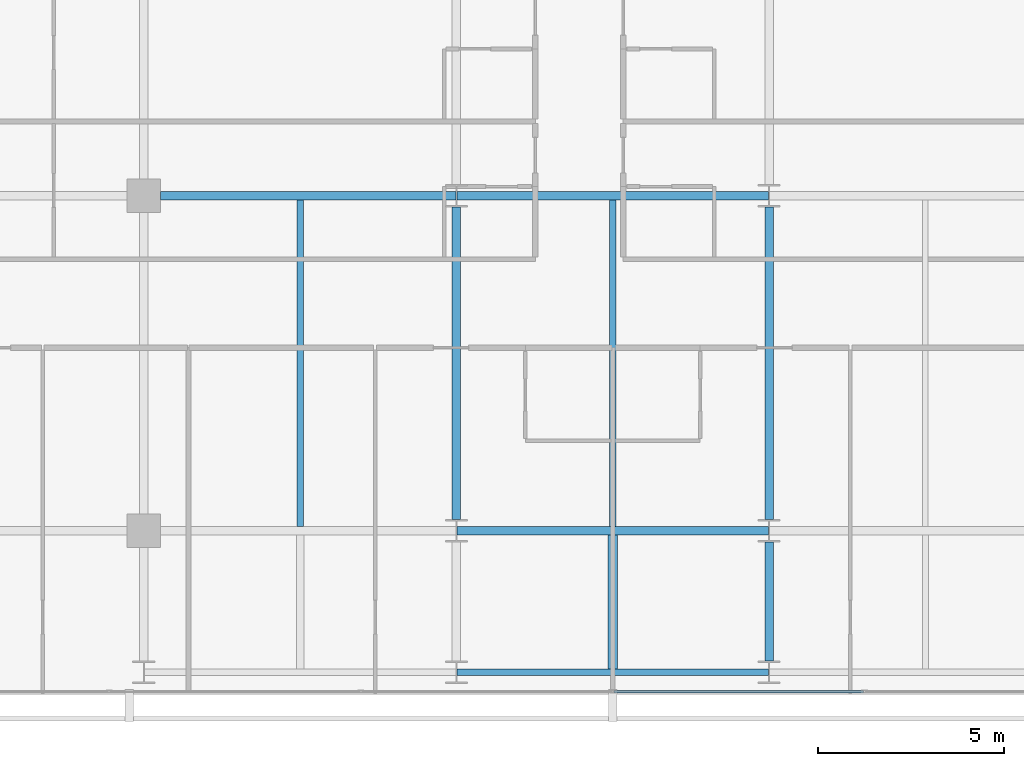
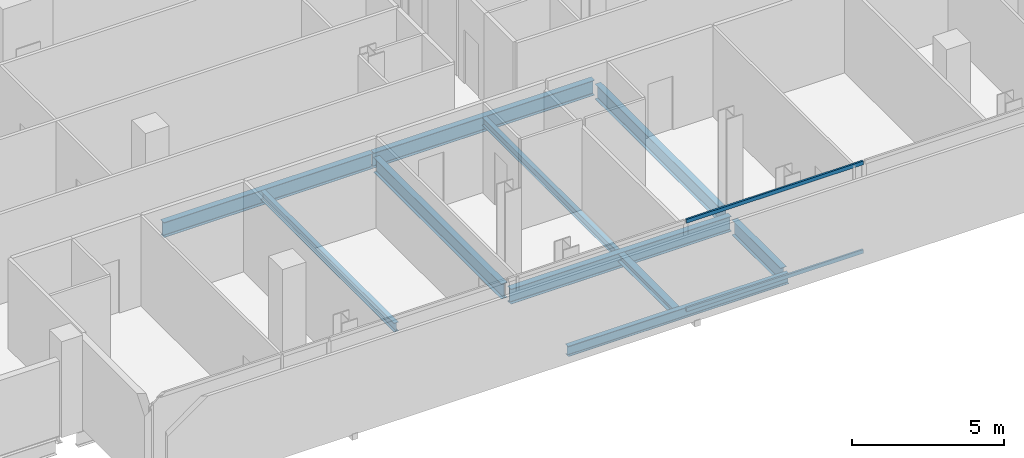
# One storey, part 7 of 34: 10 beams, 2 members, 1 element without a shape of its own.
"""IFC4 building model written with IfcOpenShell, lengths in metres."""

import ifcopenshell
import ifcopenshell.guid

model = None  # the IFC model being written
_history = None  # IfcOwnerHistory: only IFC2X3 demands one
_inside = {}  # id of a spatial element -> (the spatial element, [elements in it])
_under = {}  # id of a project, library or spatial element -> (it, [spatial elements below it])
_declared = {}  # id of a project -> (the project, [libraries it declares])
_typed = {}  # id of a type object -> (the type object, [elements of that type])
_made_of = {}  # id of a material, layer set ... -> (it, [elements and type objects made of it])


def new_model(schema):
    """Start an empty IFC model of exactly this schema.

    Asked for "IFC4X3", IfcOpenShell would pick the latest addendum, in which some entities
    have other attributes; the version numbers below select the first issue.
    IFC2X3 requires an IfcOwnerHistory on every rooted entity: one is made here for all.
    """
    global model, _history
    if schema == "IFC4X3":
        model = ifcopenshell.file(schema_version=(4, 3, 0, 0))
    else:
        model = ifcopenshell.file(schema=schema)
    _inside.clear()
    _under.clear()
    _declared.clear()
    _typed.clear()
    _made_of.clear()
    _history = None
    if model.schema == "IFC2X3":
        org = make("IfcOrganization", Name="unknown")
        user = make(
            "IfcPersonAndOrganization",
            ThePerson=make("IfcPerson", FamilyName="unknown"),
            TheOrganization=org,
        )
        app = make(
            "IfcApplication",
            ApplicationDeveloper=org,
            Version="unknown",
            ApplicationFullName="unknown",
            ApplicationIdentifier="unknown",
        )
        _history = make(
            "IfcOwnerHistory",
            OwningUser=user,
            OwningApplication=app,
            ChangeAction="ADDED",
            CreationDate=0,
        )
    return model


def make(cls, **values):
    """One entity of the class cls with the attributes given. An attribute that is None is left unset."""
    return model.create_entity(
        cls, **{name: value for name, value in values.items() if value is not None}
    )


def rooted(cls, **values):
    """An entity with a GlobalId (a new one), such as an element, a storey or a relation."""
    return make(cls, GlobalId=ifcopenshell.guid.new(), OwnerHistory=_history, **values)


def si_unit(unit_type, name, prefix=None):
    """IfcSIUnit, for example si_unit("LENGTHUNIT", "METRE", prefix="MILLI")."""
    return make("IfcSIUnit", UnitType=unit_type, Prefix=prefix, Name=name)


def assignment(units):
    """IfcUnitAssignment: the units of a project."""
    return None if units is None else make("IfcUnitAssignment", Units=units)


def point(xyz):
    """IfcCartesianPoint."""
    return None if xyz is None else make("IfcCartesianPoint", Coordinates=xyz)


def direction(xyz):
    """IfcDirection."""
    return None if xyz is None else make("IfcDirection", DirectionRatios=xyz)


def frame(location, z_axis=None, x_axis=None):
    """IfcAxis2Placement3D, a coordinate frame: its origin and axes. An axis left out is left unset."""
    return make(
        "IfcAxis2Placement3D",
        Location=point(location),
        Axis=direction(z_axis),
        RefDirection=direction(x_axis),
    )


def frame_2d(location, x_axis=None):
    """IfcAxis2Placement2D, a coordinate frame in the plane: its origin and x axis."""
    return make(
        "IfcAxis2Placement2D", Location=point(location), RefDirection=direction(x_axis)
    )


def origin():
    """The frame at (0, 0, 0) with its axes left unset."""
    return frame((0.0, 0.0, 0.0))


def origin_2d():
    """The frame at (0, 0) in the plane with its x axis left unset."""
    return frame_2d((0.0, 0.0))


def place(relative_to, where):
    """IfcLocalPlacement: puts the frame where relative to a parent placement (None: the world)."""
    return make(
        "IfcLocalPlacement", PlacementRelTo=relative_to, RelativePlacement=where
    )


def context(
    kind, dimensions, precision=None, world=None, true_north=None, identifier=None
):
    """IfcGeometricRepresentationContext, for example the 3D "Model" context."""
    return make(
        "IfcGeometricRepresentationContext",
        ContextIdentifier=identifier,
        ContextType=kind,
        CoordinateSpaceDimension=dimensions,
        Precision=precision,
        WorldCoordinateSystem=world,
        TrueNorth=true_north,
    )


def subcontext(parent, identifier, kind, view, scale=None):
    """IfcGeometricRepresentationSubContext, for example "Body" below "Model"."""
    return make(
        "IfcGeometricRepresentationSubContext",
        ContextIdentifier=identifier,
        ContextType=kind,
        ParentContext=parent,
        TargetScale=scale,
        TargetView=view,
    )


def project(units=None, contexts=None):
    """IfcProject with its units and contexts."""
    return rooted(
        "IfcProject",
        Name="project",
        RepresentationContexts=contexts,
        UnitsInContext=assignment(units),
    )


def spatial(cls, under=None, at=None, **own):
    """A site, building, storey or space (cls), placed at a placement, below another one or the project."""
    s = rooted(cls, ObjectPlacement=at, **own)
    if under is not None:
        _under.setdefault(under.id(), (under, []))[1].append(s)
    return s


def profile(cls, at=None, kind="AREA", **sizes):
    """A parametric profile (cls). Its sizes go by their IFC names, for example OverallWidth=200.0."""
    return make(cls, ProfileType=kind, Position=at, **sizes)


def hollow_rectangle(**sizes):
    """IfcRectangleHollowProfileDef."""
    return profile("IfcRectangleHollowProfileDef", **sizes)


def i_section(**sizes):
    """IfcIShapeProfileDef."""
    return profile("IfcIShapeProfileDef", **sizes)


def extrude(swept, where, along, depth):
    """IfcExtrudedAreaSolid: the profile swept, set in the frame where, extruded along a direction by depth."""
    return make(
        "IfcExtrudedAreaSolid",
        SweptArea=swept,
        Position=where,
        ExtrudedDirection=direction(along),
        Depth=depth,
    )


def shape(context_of_items, identifier, shape_type, items):
    """IfcShapeRepresentation: the items that make up one representation, for example the "Body"."""
    return make(
        "IfcShapeRepresentation",
        ContextOfItems=context_of_items,
        RepresentationIdentifier=identifier,
        RepresentationType=shape_type,
        Items=items,
    )


def material(Name=None, Category=None):
    """IfcMaterial."""
    return make("IfcMaterial", Name=Name, Category=Category)


def layer(
    of_material, thickness, ventilated=None, Name=None, Category=None, Priority=None
):
    """IfcMaterialLayer: one layer of a wall or slab, of a material (None: an air gap)."""
    return make(
        "IfcMaterialLayer",
        Material=of_material,
        LayerThickness=thickness,
        IsVentilated=ventilated,
        Name=Name,
        Category=Category,
        Priority=Priority,
    )


def layer_set(layers, Name=None):
    """IfcMaterialLayerSet."""
    return make("IfcMaterialLayerSet", MaterialLayers=layers, LayerSetName=Name)


def material_profile(
    of_material, cross_section, Name=None, Category=None, Priority=None
):
    """IfcMaterialProfile: a cross section and its material."""
    return make(
        "IfcMaterialProfile",
        Name=Name,
        Material=of_material,
        Profile=cross_section,
        Priority=Priority,
        Category=Category,
    )


def profile_set(profiles, Name=None, composite=None):
    """IfcMaterialProfileSet."""
    return make(
        "IfcMaterialProfileSet",
        Name=Name,
        MaterialProfiles=profiles,
        CompositeProfile=composite,
    )


def made_of(thing, what):
    """Note that an element or type object is made of a material, layer set ...; save() writes the relation."""
    if what is not None:
        _made_of.setdefault(what.id(), (what, []))[1].append(thing)
    return thing


def type_object(cls, material=None, **own):
    """A type object (cls), such as IfcWallType, which elements share."""
    return made_of(rooted(cls, **own), material)


def element(
    cls,
    number,
    at=None,
    inside=None,
    cuts=None,
    type_object=None,
    material=None,
    context=None,
    identifier="Body",
    shape_type=None,
    held_by="IfcProductDefinitionShape",
    body=None,
    shapes=None,
    **own,
):
    """One element of the class cls, such as IfcWall. Its Tag is "e" and its number.

    at: its placement. inside: the storey or other place that contains it. cuts: it is an
    opening in that element (IfcRelVoidsElement). A single representation is given by context,
    identifier, shape_type and body (its items); several are given by shapes. held_by: the class
    of the entity that holds the representations. save() writes the other relations.
    """
    e = rooted(cls, Tag="e%d" % number, ObjectPlacement=at, **own)
    if body is not None:
        shapes = [shape(context, identifier, shape_type, body)]
    if shapes is not None:
        e.Representation = make(held_by, Representations=shapes)
    if inside is not None:
        _inside.setdefault(inside.id(), (inside, []))[1].append(e)
    if cuts is not None:
        rooted(
            "IfcRelVoidsElement", RelatingBuildingElement=cuts, RelatedOpeningElement=e
        )
    if type_object is not None:
        _typed.setdefault(type_object.id(), (type_object, []))[1].append(e)
    return made_of(e, material)


def aggregate(whole, parts):
    """IfcRelAggregates: a whole, such as a stair, and the parts it consists of."""
    return rooted("IfcRelAggregates", RelatingObject=whole, RelatedObjects=parts)


def save(model, path):
    """Write the relations noted so far, then the file.

    IfcRelAggregates (storeys below a building ...), IfcRelContainedInSpatialStructure (elements
    in a storey), IfcRelDefinesByType, IfcRelAssociatesMaterial and IfcRelDeclares: one each for
    every whole, place, type object, material and project.
    """
    for whole, parts in _under.values():
        aggregate(whole, parts)
    for where, things in _inside.values():
        rooted(
            "IfcRelContainedInSpatialStructure",
            RelatedElements=things,
            RelatingStructure=where,
        )
    for kind, things in _typed.values():
        rooted("IfcRelDefinesByType", RelatedObjects=things, RelatingType=kind)
    for what, things in _made_of.values():
        rooted("IfcRelAssociatesMaterial", RelatedObjects=things, RelatingMaterial=what)
    for by, libraries in _declared.values():
        rooted("IfcRelDeclares", RelatingContext=by, RelatedDefinitions=libraries)
    model.write(path)


model = new_model("IFC4")

# Units and contexts
model_context = context("Model", 3, precision=1e-05, world=origin(), true_north=direction((0.0, 1.0)))
body_context = subcontext(model_context, "Body", "Model", "MODEL_VIEW")
ifc_project = project(units=[si_unit("LENGTHUNIT", "METRE"), si_unit("AREAUNIT", "SQUARE_METRE"), si_unit("VOLUMEUNIT", "CUBIC_METRE"), si_unit("PLANEANGLEUNIT", "RADIAN"), si_unit("MASSUNIT", "GRAM", prefix="KILO")], contexts=[model_context])

# Site, building, storey
site_placement = place(None, origin())
site = spatial("IfcSite", under=ifc_project, at=site_placement, CompositionType="ELEMENT")
building_placement = place(site_placement, origin())
building = spatial("IfcBuilding", under=site, at=building_placement, Name="Maruvema Waterfront Hotel and Observation Tower", CompositionType="ELEMENT")
storey_placement = place(building_placement, frame((0.0, 0.0, 189.0)))
storey = spatial("IfcBuildingStorey", under=building, at=storey_placement, Name="L46", CompositionType="ELEMENT", Elevation=189.0)

# Curtain wall, members
ifc_material_1 = material(Name="Anodised bronze aluminium and solar-control low-E IGU", Category="aluminium")
ifc_layer = layer(ifc_material_1, 0.159912109375, Name="Zone 2 Amber Inner Thermal Curtain Wall System CW-03")
ifc_layer_set = layer_set([ifc_layer], Name="Anodised bronze aluminium and solar-control low-E IGU")
curtain_wall_type = type_object("IfcCurtainWallType", Name="Zone 2 Amber Inner Thermal Curtain Wall System CW-03", PredefinedType="USERDEFINED", material=ifc_layer_set)
curtain_wall_placement = place(storey_placement, origin())
curtain_wall = element("IfcCurtainWall", 1, at=curtain_wall_placement, inside=storey, type_object=curtain_wall_type, Name="L46 Curtain Wall CW-L46-S", ObjectType="UNITISED CURTAIN WALL", PredefinedType="USERDEFINED")
ifc_material_2 = material(Name="Anodised architectural bronze aluminium", Category="aluminium")
ifc_material_profile_1 = material_profile(ifc_material_2, hollow_rectangle(XDim=0.070068359375, YDim=0.14990234375, WallThickness=0.00390625, at=origin_2d()), Name="ALU-T70x150")
ifc_profile_set_1 = profile_set([ifc_material_profile_1], Name="Anodised architectural bronze aluminium")
member_type = type_object("IfcMemberType", Name="Curtain Wall Horizontal Transom ALU-T70x150", PredefinedType="USERDEFINED", material=ifc_profile_set_1)
member_1_placement = place(storey_placement, frame((37.830078125, 4.679931640625, 0.030029296875), z_axis=(1.0, 0.0, 0.0), x_axis=(0.0, 1.0, 0.0)))
member_1 = element("IfcMember", 2, at=member_1_placement, type_object=member_type, Name="CW-03 transom 4.1", ObjectType="TRANSOM", PredefinedType="USERDEFINED", context=body_context, shape_type="SweptSolid", body=[
    extrude(hollow_rectangle(XDim=0.070068359375, YDim=0.14990234375, WallThickness=0.00390625, at=origin_2d()), origin(), (0.0, 0.0, 1.0), 6.70654296875),
])
member_2_placement = place(storey_placement, frame((37.830078125, 4.679931640625, 3.580078125), z_axis=(1.0, 0.0, 0.0), x_axis=(0.0, 1.0, 0.0)))
member_2 = element("IfcMember", 3, at=member_2_placement, type_object=member_type, Name="CW-03 transom 4.2", ObjectType="TRANSOM", PredefinedType="USERDEFINED", context=body_context, shape_type="SweptSolid", body=[
    extrude(hollow_rectangle(XDim=0.070068359375, YDim=0.14990234375, WallThickness=0.00390625, at=origin_2d()), origin(), (0.0, 0.0, 1.0), 6.70654296875),
])
aggregate(curtain_wall, [member_1, member_2])

# Beams
ifc_material_3 = material(Name="Steel ASTM A572 Grade 50", Category="steel")
ifc_material_profile_2 = material_profile(ifc_material_3, i_section(OverallWidth=0.180908203125, OverallDepth=0.4169921875, WebThickness=0.010986328125, FlangeThickness=0.018310546875, FilletRadius=0.014892578125, at=origin_2d()), Name="W410x85.0")
ifc_profile_set_2 = profile_set([ifc_material_profile_2], Name="Steel ASTM A572 Grade 50")
beam_type_1 = type_object("IfcBeamType", Name="Perimeter Spandrel Beam W410x85.0", PredefinedType="SPANDREL", material=ifc_profile_set_2)
beam_1_placement = place(storey_placement, frame((33.612548828125, 5.199951171875, -0.448486328125), z_axis=(1.0, 0.0, 0.0), x_axis=(0.0, 1.0, 0.0)))
element("IfcBeam", 4, at=beam_1_placement, inside=storey, type_object=beam_type_1, Name="L46 Floor Girder EW-02", PredefinedType="SPANDREL", context=body_context, shape_type="SweptSolid", body=[
    extrude(i_section(OverallWidth=0.180908203125, OverallDepth=0.4169921875, WebThickness=0.010986328125, FlangeThickness=0.018310546875, FilletRadius=0.014892578125, at=origin_2d()), origin(), (0.0, 0.0, 1.0), 8.375),
])
ifc_material_4 = material(Name="Steel ASTM A572 Grade 50", Category="steel")
ifc_material_profile_3 = material_profile(ifc_material_4, i_section(OverallWidth=0.22802734375, OverallDepth=0.60302734375, WebThickness=0.010498046875, FlangeThickness=0.014892578125, FilletRadius=0.01806640625, at=origin_2d()), Name="W610x101.0")
ifc_profile_set_3 = profile_set([ifc_material_profile_3], Name="Steel ASTM A572 Grade 50")
beam_type_2 = type_object("IfcBeamType", Name="Primary Floor Girder W610x101.0", PredefinedType="BEAM", material=ifc_profile_set_3)
beam_2_placement = place(storey_placement, frame((33.612548828125, 9.0, -0.54150390625), z_axis=(1.0, 0.0, 0.0), x_axis=(0.0, 1.0, 0.0)))
element("IfcBeam", 5, at=beam_2_placement, inside=storey, type_object=beam_type_2, Name="L46 Floor Girder EW-07", PredefinedType="BEAM", context=body_context, shape_type="SweptSolid", body=[
    extrude(i_section(OverallWidth=0.22802734375, OverallDepth=0.60302734375, WebThickness=0.010498046875, FlangeThickness=0.014892578125, FilletRadius=0.01806640625, at=origin_2d()), origin(), (0.0, 0.0, 1.0), 8.375),
])
beam_3_placement = place(storey_placement, frame((25.64990234375, 18.0, -0.54150390625), z_axis=(1.0, 0.0, 0.0), x_axis=(0.0, 1.0, 0.0)))
element("IfcBeam", 6, at=beam_3_placement, inside=storey, type_object=beam_type_2, Name="L46 Floor Girder EW-13", PredefinedType="BEAM", context=body_context, shape_type="SweptSolid", body=[
    extrude(i_section(OverallWidth=0.22802734375, OverallDepth=0.60302734375, WebThickness=0.010498046875, FlangeThickness=0.014892578125, FilletRadius=0.01806640625, at=origin_2d()), origin(), (0.0, 0.0, 1.0), 7.9375),
])
beam_4_placement = place(storey_placement, frame((33.612548828125, 18.0, -0.54150390625), z_axis=(1.0, 0.0, 0.0), x_axis=(0.0, 1.0, 0.0)))
element("IfcBeam", 7, at=beam_4_placement, inside=storey, type_object=beam_type_2, Name="L46 Floor Girder EW-14", PredefinedType="BEAM", context=body_context, shape_type="SweptSolid", body=[
    extrude(i_section(OverallWidth=0.22802734375, OverallDepth=0.60302734375, WebThickness=0.010498046875, FlangeThickness=0.014892578125, FilletRadius=0.01806640625, at=origin_2d()), origin(), (0.0, 0.0, 1.0), 8.375),
])
beam_5_placement = place(storey_placement, frame((33.60009765625, 9.300048828125, -0.54150390625), z_axis=(0.0, 1.0, 0.0), x_axis=(-1.0, 0.0, 0.0)))
element("IfcBeam", 8, at=beam_5_placement, inside=storey, type_object=beam_type_2, Name="L46 Floor Girder NS-15", PredefinedType="BEAM", context=body_context, shape_type="SweptSolid", body=[
    extrude(i_section(OverallWidth=0.22802734375, OverallDepth=0.60302734375, WebThickness=0.010498046875, FlangeThickness=0.014892578125, FilletRadius=0.01806640625, at=origin_2d()), origin(), (0.0, 0.0, 1.0), 8.39990234375),
])
beam_6_placement = place(storey_placement, frame((42.0, 5.5, -0.54150390625), z_axis=(0.0, 1.0, 0.0), x_axis=(-1.0, 0.0, 0.0)))
element("IfcBeam", 9, at=beam_6_placement, inside=storey, type_object=beam_type_2, Name="L46 Floor Girder NS-17", PredefinedType="BEAM", context=body_context, shape_type="SweptSolid", body=[
    extrude(i_section(OverallWidth=0.22802734375, OverallDepth=0.60302734375, WebThickness=0.010498046875, FlangeThickness=0.014892578125, FilletRadius=0.01806640625, at=origin_2d()), origin(), (0.0, 0.0, 1.0), 3.199951171875),
])
beam_7_placement = place(storey_placement, frame((42.0, 9.300048828125, -0.54150390625), z_axis=(0.0, 1.0, 0.0), x_axis=(-1.0, 0.0, 0.0)))
element("IfcBeam", 10, at=beam_7_placement, inside=storey, type_object=beam_type_2, Name="L46 Floor Girder NS-18", PredefinedType="BEAM", context=body_context, shape_type="SweptSolid", body=[
    extrude(i_section(OverallWidth=0.22802734375, OverallDepth=0.60302734375, WebThickness=0.010498046875, FlangeThickness=0.014892578125, FilletRadius=0.01806640625, at=origin_2d()), origin(), (0.0, 0.0, 1.0), 8.39990234375),
])
ifc_material_5 = material(Name="Steel ASTM A572 Grade 50", Category="steel")
ifc_material_profile_4 = material_profile(ifc_material_5, i_section(OverallWidth=0.1669921875, OverallDepth=0.31689453125, WebThickness=0.007568359375, FlangeThickness=0.01318359375, FilletRadius=0.012939453125, at=origin_2d()), Name="W310x52.0")
ifc_profile_set_4 = profile_set([ifc_material_profile_4], Name="Steel ASTM A572 Grade 50")
beam_type_3 = type_object("IfcBeamType", Name="Secondary Floor Joist W310x52.0", PredefinedType="JOIST", material=ifc_profile_set_4)
beam_8_placement = place(storey_placement, frame((37.800048828125, 9.114013671875, -0.3984375), z_axis=(0.0, 1.0, 0.0), x_axis=(-1.0, 0.0, 0.0)))
element("IfcBeam", 11, at=beam_8_placement, inside=storey, type_object=beam_type_3, Name="L46 Secondary Floor Joist JS-08", PredefinedType="JOIST", context=body_context, shape_type="SweptSolid", body=[
    extrude(i_section(OverallWidth=0.1669921875, OverallDepth=0.31689453125, WebThickness=0.007568359375, FlangeThickness=0.01318359375, FilletRadius=0.012939453125, at=origin_2d()), origin(), (0.0, 0.0, 1.0), 8.77197265625),
])
ifc_material_6 = material(Name="Steel ASTM A572 Grade 50", Category="steel")
ifc_material_profile_5 = material_profile(ifc_material_6, i_section(OverallWidth=0.25390625, OverallDepth=0.305908203125, WebThickness=0.0087890625, FlangeThickness=0.0146484375, FilletRadius=0.014892578125, at=origin_2d()), Name="W310x79.0")
ifc_profile_set_5 = profile_set([ifc_material_profile_5], Name="Steel ASTM A572 Grade 50")
beam_type_4 = type_object("IfcBeamType", Name="Secondary Floor Joist W310x79.0", PredefinedType="JOIST", material=ifc_profile_set_5)
beam_9_placement = place(storey_placement, frame((37.800048828125, 5.29052734375, -0.39306640625), z_axis=(0.0, 1.0, 0.0), x_axis=(-1.0, 0.0, 0.0)))
element("IfcBeam", 12, at=beam_9_placement, inside=storey, type_object=beam_type_4, Name="L46 Secondary Floor Joist JS-07", PredefinedType="JOIST", context=body_context, shape_type="SweptSolid", body=[
    extrude(i_section(OverallWidth=0.25390625, OverallDepth=0.305908203125, WebThickness=0.0087890625, FlangeThickness=0.0146484375, FilletRadius=0.014892578125, at=origin_2d()), origin(), (0.0, 0.0, 1.0), 3.595458984375),
])
ifc_material_7 = material(Name="Steel ASTM A572 Grade 50", Category="steel")
ifc_material_profile_6 = material_profile(ifc_material_7, i_section(OverallWidth=0.1708984375, OverallDepth=0.35498046875, WebThickness=0.007080078125, FlangeThickness=0.01171875, FilletRadius=0.014892578125, at=origin_2d()), Name="W360x51.0")
ifc_profile_set_6 = profile_set([ifc_material_profile_6], Name="Steel ASTM A572 Grade 50")
beam_type_5 = type_object("IfcBeamType", Name="Secondary Floor Joist W360x51.0", PredefinedType="JOIST", material=ifc_profile_set_6)
beam_10_placement = place(storey_placement, frame((29.39990234375, 9.114013671875, -0.41748046875), z_axis=(0.0, 1.0, 0.0), x_axis=(-1.0, 0.0, 0.0)))
element("IfcBeam", 13, at=beam_10_placement, inside=storey, type_object=beam_type_5, Name="L46 Secondary Floor Joist JS-06", PredefinedType="JOIST", context=body_context, shape_type="SweptSolid", body=[
    extrude(i_section(OverallWidth=0.1708984375, OverallDepth=0.35498046875, WebThickness=0.007080078125, FlangeThickness=0.01171875, FilletRadius=0.014892578125, at=origin_2d()), origin(), (0.0, 0.0, 1.0), 8.77197265625),
])

save(model, "model.ifc")
